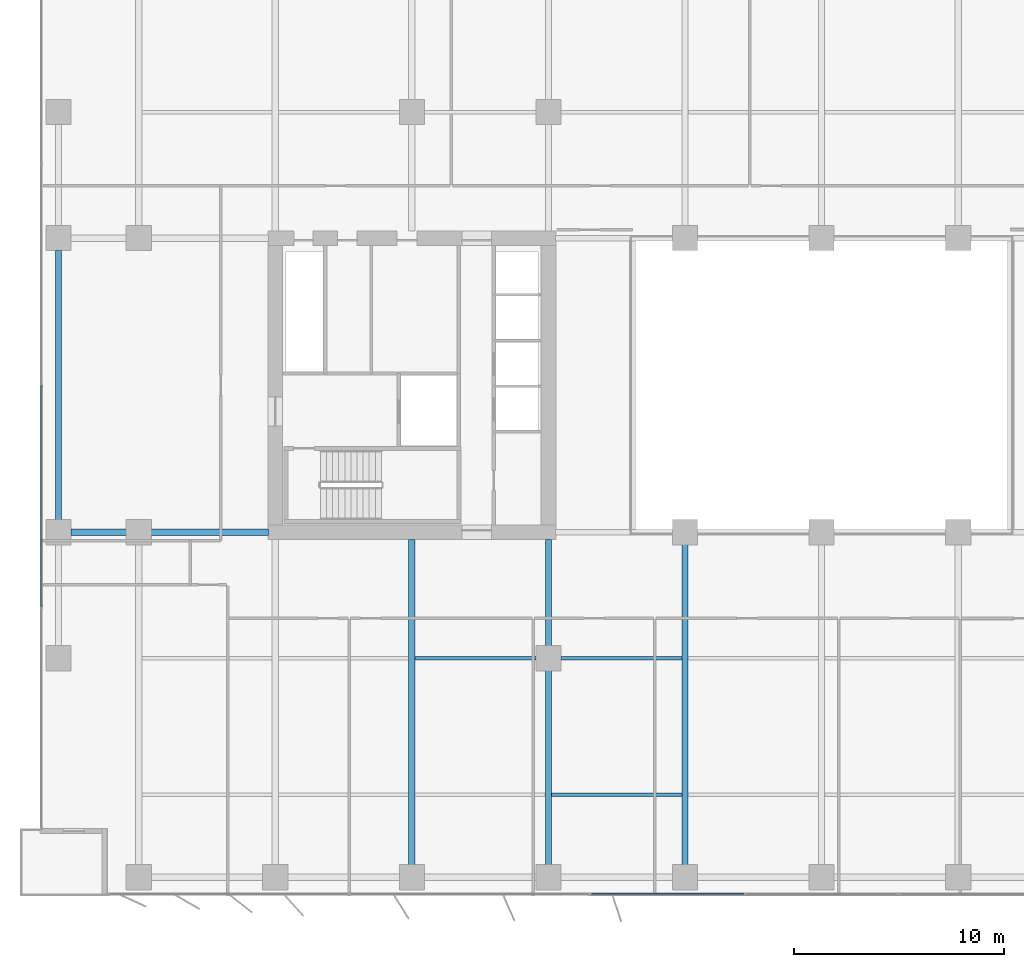
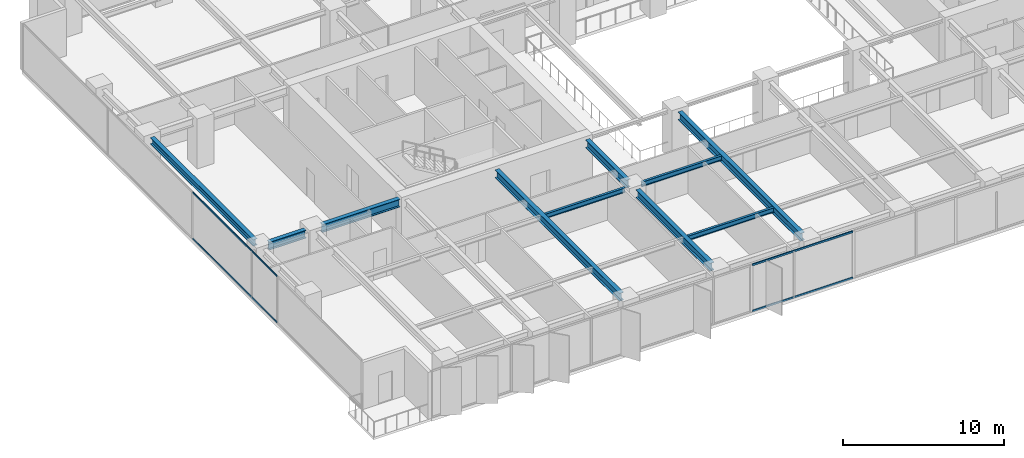
# One storey, part 3 of 20: 10 beams, 4 members, 2 elements without a shape of their own.
"""IFC4 building model written with IfcOpenShell, lengths in metres."""

import ifcopenshell
import ifcopenshell.guid

model = None  # the IFC model being written
_history = None  # IfcOwnerHistory: only IFC2X3 demands one
_inside = {}  # id of a spatial element -> (the spatial element, [elements in it])
_under = {}  # id of a project, library or spatial element -> (it, [spatial elements below it])
_declared = {}  # id of a project -> (the project, [libraries it declares])
_typed = {}  # id of a type object -> (the type object, [elements of that type])
_made_of = {}  # id of a material, layer set ... -> (it, [elements and type objects made of it])


def new_model(schema):
    """Start an empty IFC model of exactly this schema.

    Asked for "IFC4X3", IfcOpenShell would pick the latest addendum, in which some entities
    have other attributes; the version numbers below select the first issue.
    IFC2X3 requires an IfcOwnerHistory on every rooted entity: one is made here for all.
    """
    global model, _history
    if schema == "IFC4X3":
        model = ifcopenshell.file(schema_version=(4, 3, 0, 0))
    else:
        model = ifcopenshell.file(schema=schema)
    _inside.clear()
    _under.clear()
    _declared.clear()
    _typed.clear()
    _made_of.clear()
    _history = None
    if model.schema == "IFC2X3":
        org = make("IfcOrganization", Name="unknown")
        user = make(
            "IfcPersonAndOrganization",
            ThePerson=make("IfcPerson", FamilyName="unknown"),
            TheOrganization=org,
        )
        app = make(
            "IfcApplication",
            ApplicationDeveloper=org,
            Version="unknown",
            ApplicationFullName="unknown",
            ApplicationIdentifier="unknown",
        )
        _history = make(
            "IfcOwnerHistory",
            OwningUser=user,
            OwningApplication=app,
            ChangeAction="ADDED",
            CreationDate=0,
        )
    return model


def make(cls, **values):
    """One entity of the class cls with the attributes given. An attribute that is None is left unset."""
    return model.create_entity(
        cls, **{name: value for name, value in values.items() if value is not None}
    )


def rooted(cls, **values):
    """An entity with a GlobalId (a new one), such as an element, a storey or a relation."""
    return make(cls, GlobalId=ifcopenshell.guid.new(), OwnerHistory=_history, **values)


def si_unit(unit_type, name, prefix=None):
    """IfcSIUnit, for example si_unit("LENGTHUNIT", "METRE", prefix="MILLI")."""
    return make("IfcSIUnit", UnitType=unit_type, Prefix=prefix, Name=name)


def assignment(units):
    """IfcUnitAssignment: the units of a project."""
    return None if units is None else make("IfcUnitAssignment", Units=units)


def point(xyz):
    """IfcCartesianPoint."""
    return None if xyz is None else make("IfcCartesianPoint", Coordinates=xyz)


def direction(xyz):
    """IfcDirection."""
    return None if xyz is None else make("IfcDirection", DirectionRatios=xyz)


def frame(location, z_axis=None, x_axis=None):
    """IfcAxis2Placement3D, a coordinate frame: its origin and axes. An axis left out is left unset."""
    return make(
        "IfcAxis2Placement3D",
        Location=point(location),
        Axis=direction(z_axis),
        RefDirection=direction(x_axis),
    )


def frame_2d(location, x_axis=None):
    """IfcAxis2Placement2D, a coordinate frame in the plane: its origin and x axis."""
    return make(
        "IfcAxis2Placement2D", Location=point(location), RefDirection=direction(x_axis)
    )


def origin():
    """The frame at (0, 0, 0) with its axes left unset."""
    return frame((0.0, 0.0, 0.0))


def origin_2d():
    """The frame at (0, 0) in the plane with its x axis left unset."""
    return frame_2d((0.0, 0.0))


def place(relative_to, where):
    """IfcLocalPlacement: puts the frame where relative to a parent placement (None: the world)."""
    return make(
        "IfcLocalPlacement", PlacementRelTo=relative_to, RelativePlacement=where
    )


def context(
    kind, dimensions, precision=None, world=None, true_north=None, identifier=None
):
    """IfcGeometricRepresentationContext, for example the 3D "Model" context."""
    return make(
        "IfcGeometricRepresentationContext",
        ContextIdentifier=identifier,
        ContextType=kind,
        CoordinateSpaceDimension=dimensions,
        Precision=precision,
        WorldCoordinateSystem=world,
        TrueNorth=true_north,
    )


def subcontext(parent, identifier, kind, view, scale=None):
    """IfcGeometricRepresentationSubContext, for example "Body" below "Model"."""
    return make(
        "IfcGeometricRepresentationSubContext",
        ContextIdentifier=identifier,
        ContextType=kind,
        ParentContext=parent,
        TargetScale=scale,
        TargetView=view,
    )


def project(units=None, contexts=None):
    """IfcProject with its units and contexts."""
    return rooted(
        "IfcProject",
        Name="project",
        RepresentationContexts=contexts,
        UnitsInContext=assignment(units),
    )


def spatial(cls, under=None, at=None, **own):
    """A site, building, storey or space (cls), placed at a placement, below another one or the project."""
    s = rooted(cls, ObjectPlacement=at, **own)
    if under is not None:
        _under.setdefault(under.id(), (under, []))[1].append(s)
    return s


def profile(cls, at=None, kind="AREA", **sizes):
    """A parametric profile (cls). Its sizes go by their IFC names, for example OverallWidth=200.0."""
    return make(cls, ProfileType=kind, Position=at, **sizes)


def rectangle(**sizes):
    """IfcRectangleProfileDef."""
    return profile("IfcRectangleProfileDef", **sizes)


def i_section(**sizes):
    """IfcIShapeProfileDef."""
    return profile("IfcIShapeProfileDef", **sizes)


def extrude(swept, where, along, depth):
    """IfcExtrudedAreaSolid: the profile swept, set in the frame where, extruded along a direction by depth."""
    return make(
        "IfcExtrudedAreaSolid",
        SweptArea=swept,
        Position=where,
        ExtrudedDirection=direction(along),
        Depth=depth,
    )


def shape(context_of_items, identifier, shape_type, items):
    """IfcShapeRepresentation: the items that make up one representation, for example the "Body"."""
    return make(
        "IfcShapeRepresentation",
        ContextOfItems=context_of_items,
        RepresentationIdentifier=identifier,
        RepresentationType=shape_type,
        Items=items,
    )


def material(Name=None, Category=None):
    """IfcMaterial."""
    return make("IfcMaterial", Name=Name, Category=Category)


def layer(
    of_material, thickness, ventilated=None, Name=None, Category=None, Priority=None
):
    """IfcMaterialLayer: one layer of a wall or slab, of a material (None: an air gap)."""
    return make(
        "IfcMaterialLayer",
        Material=of_material,
        LayerThickness=thickness,
        IsVentilated=ventilated,
        Name=Name,
        Category=Category,
        Priority=Priority,
    )


def layer_set(layers, Name=None):
    """IfcMaterialLayerSet."""
    return make("IfcMaterialLayerSet", MaterialLayers=layers, LayerSetName=Name)


def material_profile(
    of_material, cross_section, Name=None, Category=None, Priority=None
):
    """IfcMaterialProfile: a cross section and its material."""
    return make(
        "IfcMaterialProfile",
        Name=Name,
        Material=of_material,
        Profile=cross_section,
        Priority=Priority,
        Category=Category,
    )


def profile_set(profiles, Name=None, composite=None):
    """IfcMaterialProfileSet."""
    return make(
        "IfcMaterialProfileSet",
        Name=Name,
        MaterialProfiles=profiles,
        CompositeProfile=composite,
    )


def made_of(thing, what):
    """Note that an element or type object is made of a material, layer set ...; save() writes the relation."""
    if what is not None:
        _made_of.setdefault(what.id(), (what, []))[1].append(thing)
    return thing


def type_object(cls, material=None, **own):
    """A type object (cls), such as IfcWallType, which elements share."""
    return made_of(rooted(cls, **own), material)


def element(
    cls,
    number,
    at=None,
    inside=None,
    cuts=None,
    type_object=None,
    material=None,
    context=None,
    identifier="Body",
    shape_type=None,
    held_by="IfcProductDefinitionShape",
    body=None,
    shapes=None,
    **own,
):
    """One element of the class cls, such as IfcWall. Its Tag is "e" and its number.

    at: its placement. inside: the storey or other place that contains it. cuts: it is an
    opening in that element (IfcRelVoidsElement). A single representation is given by context,
    identifier, shape_type and body (its items); several are given by shapes. held_by: the class
    of the entity that holds the representations. save() writes the other relations.
    """
    e = rooted(cls, Tag="e%d" % number, ObjectPlacement=at, **own)
    if body is not None:
        shapes = [shape(context, identifier, shape_type, body)]
    if shapes is not None:
        e.Representation = make(held_by, Representations=shapes)
    if inside is not None:
        _inside.setdefault(inside.id(), (inside, []))[1].append(e)
    if cuts is not None:
        rooted(
            "IfcRelVoidsElement", RelatingBuildingElement=cuts, RelatedOpeningElement=e
        )
    if type_object is not None:
        _typed.setdefault(type_object.id(), (type_object, []))[1].append(e)
    return made_of(e, material)


def aggregate(whole, parts):
    """IfcRelAggregates: a whole, such as a stair, and the parts it consists of."""
    return rooted("IfcRelAggregates", RelatingObject=whole, RelatedObjects=parts)


def save(model, path):
    """Write the relations noted so far, then the file.

    IfcRelAggregates (storeys below a building ...), IfcRelContainedInSpatialStructure (elements
    in a storey), IfcRelDefinesByType, IfcRelAssociatesMaterial and IfcRelDeclares: one each for
    every whole, place, type object, material and project.
    """
    for whole, parts in _under.values():
        aggregate(whole, parts)
    for where, things in _inside.values():
        rooted(
            "IfcRelContainedInSpatialStructure",
            RelatedElements=things,
            RelatingStructure=where,
        )
    for kind, things in _typed.values():
        rooted("IfcRelDefinesByType", RelatedObjects=things, RelatingType=kind)
    for what, things in _made_of.values():
        rooted("IfcRelAssociatesMaterial", RelatedObjects=things, RelatingMaterial=what)
    for by, libraries in _declared.values():
        rooted("IfcRelDeclares", RelatingContext=by, RelatedDefinitions=libraries)
    model.write(path)


model = new_model("IFC4")

# Units and contexts
model_context = context("Model", 3, precision=1e-05, world=origin(), true_north=direction((0.0, 1.0)))
body_context = subcontext(model_context, "Body", "Model", "MODEL_VIEW")
ifc_project = project(units=[si_unit("LENGTHUNIT", "METRE"), si_unit("AREAUNIT", "SQUARE_METRE"), si_unit("VOLUMEUNIT", "CUBIC_METRE"), si_unit("PLANEANGLEUNIT", "RADIAN"), si_unit("MASSUNIT", "GRAM", prefix="KILO")], contexts=[model_context])

# Site, building, storey
site_placement = place(None, origin())
site = spatial("IfcSite", under=ifc_project, at=site_placement, CompositionType="ELEMENT")
building_placement = place(site_placement, origin())
building = spatial("IfcBuilding", under=site, at=building_placement, Name="Putna Gate Headquarters", CompositionType="ELEMENT")
storey_placement = place(building_placement, frame((0.0, 0.0, 93.60009765625)))
storey = spatial("IfcBuildingStorey", under=building, at=storey_placement, Name="L22", CompositionType="ELEMENT", Elevation=93.60009765625)

# Beams
ifc_material_1 = material(Name="Steel S355J2", Category="steel")
ifc_material_profile_1 = material_profile(ifc_material_1, i_section(OverallWidth=0.300048828125, OverallDepth=0.60009765625, WebThickness=0.015380859375, FlangeThickness=0.030029296875, at=origin_2d()), Name="Steel S355J2")
ifc_profile_set_1 = profile_set([ifc_material_profile_1], Name="Steel S355J2")
beam_type_1 = type_object("IfcBeamType", Name="BM-GIRD-Z2-HEB600", PredefinedType="USERDEFINED", material=ifc_profile_set_1)
beam_1_placement = place(storey_placement, frame((3.26806640625, 19.0, 3.264892578125), z_axis=(1.0, 0.0, 0.0), x_axis=(0.0, 1.0, 0.0)))
element("IfcBeam", 1, at=beam_1_placement, inside=storey, type_object=beam_type_1, Name="L22 West Wing Girder Y19-1", ObjectType="GIRDER", PredefinedType="USERDEFINED", context=body_context, shape_type="SweptSolid", body=[
    extrude(i_section(OverallWidth=0.300048828125, OverallDepth=0.60009765625, WebThickness=0.015380859375, FlangeThickness=0.030029296875, at=origin_2d()), origin(), (0.0, 0.0, 1.0), 2.64404296875),
])
beam_2_placement = place(storey_placement, frame((7.087890625, 19.0, 3.264892578125), z_axis=(1.0, 0.0, 0.0), x_axis=(0.0, 1.0, 0.0)))
element("IfcBeam", 2, at=beam_2_placement, inside=storey, type_object=beam_type_1, Name="L22 West Wing Girder Y19-2", ObjectType="GIRDER", PredefinedType="USERDEFINED", context=body_context, shape_type="SweptSolid", body=[
    extrude(i_section(OverallWidth=0.300048828125, OverallDepth=0.60009765625, WebThickness=0.015380859375, FlangeThickness=0.030029296875, at=origin_2d()), origin(), (0.0, 0.0, 1.0), 5.5771484375),
])
beam_3_placement = place(storey_placement, frame((19.5, 3.16796875, 3.264892578125), z_axis=(0.0, 1.0, 0.0), x_axis=(-1.0, 0.0, 0.0)))
element("IfcBeam", 3, at=beam_3_placement, inside=storey, type_object=beam_type_1, Name="L22 South Primary Girder X19", ObjectType="GIRDER", PredefinedType="USERDEFINED", context=body_context, shape_type="SweptSolid", body=[
    extrude(i_section(OverallWidth=0.300048828125, OverallDepth=0.60009765625, WebThickness=0.015380859375, FlangeThickness=0.030029296875, at=origin_2d()), origin(), (0.0, 0.0, 1.0), 15.4970703125),
])
beam_4_placement = place(storey_placement, frame((26.0, 3.16796875, 3.264892578125), z_axis=(0.0, 1.0, 0.0), x_axis=(-1.0, 0.0, 0.0)))
element("IfcBeam", 4, at=beam_4_placement, inside=storey, type_object=beam_type_1, Name="L22 South Primary Girder X26-1", ObjectType="GIRDER", PredefinedType="USERDEFINED", context=body_context, shape_type="SweptSolid", body=[
    extrude(i_section(OverallWidth=0.300048828125, OverallDepth=0.60009765625, WebThickness=0.015380859375, FlangeThickness=0.030029296875, at=origin_2d()), origin(), (0.0, 0.0, 1.0), 9.244140625),
])
beam_5_placement = place(storey_placement, frame((26.0, 13.587890625, 3.264892578125), z_axis=(0.0, 1.0, 0.0), x_axis=(-1.0, 0.0, 0.0)))
element("IfcBeam", 5, at=beam_5_placement, inside=storey, type_object=beam_type_1, Name="L22 South Primary Girder X26-2", ObjectType="GIRDER", PredefinedType="USERDEFINED", context=body_context, shape_type="SweptSolid", body=[
    extrude(i_section(OverallWidth=0.300048828125, OverallDepth=0.60009765625, WebThickness=0.015380859375, FlangeThickness=0.030029296875, at=origin_2d()), origin(), (0.0, 0.0, 1.0), 5.0771484375),
])
beam_6_placement = place(storey_placement, frame((32.5, 3.16796875, 3.264892578125), z_axis=(0.0, 1.0, 0.0), x_axis=(-1.0, 0.0, 0.0)))
element("IfcBeam", 6, at=beam_6_placement, inside=storey, type_object=beam_type_1, Name="L22 South Primary Girder X32", ObjectType="GIRDER", PredefinedType="USERDEFINED", context=body_context, shape_type="SweptSolid", body=[
    extrude(i_section(OverallWidth=0.300048828125, OverallDepth=0.60009765625, WebThickness=0.015380859375, FlangeThickness=0.030029296875, at=origin_2d()), origin(), (0.0, 0.0, 1.0), 15.244140625),
])
ifc_material_profile_2 = material_profile(ifc_material_1, i_section(OverallWidth=0.169921875, OverallDepth=0.360107421875, WebThickness=0.008056640625, FlangeThickness=0.0126953125, at=origin_2d()), Name="Steel S355J2")
ifc_profile_set_2 = profile_set([ifc_material_profile_2], Name="Steel S355J2")
beam_type_2 = type_object("IfcBeamType", Name="BM-SEC-Z2-IPE360", PredefinedType="BEAM", material=ifc_profile_set_2)
beam_7_placement = place(storey_placement, frame((19.654052734375, 13.0, 3.385009765625), z_axis=(1.0, 0.0, 0.0), x_axis=(0.0, 1.0, 0.0)))
element("IfcBeam", 7, at=beam_7_placement, inside=storey, type_object=beam_type_2, Name="L22 South Secondary Beam 3", PredefinedType="BEAM", context=body_context, shape_type="SweptSolid", body=[
    extrude(i_section(OverallWidth=0.169921875, OverallDepth=0.360107421875, WebThickness=0.008056640625, FlangeThickness=0.0126953125, at=origin_2d()), origin(), (0.0, 0.0, 1.0), 5.758056640625),
])
beam_8_placement = place(storey_placement, frame((26.154052734375, 6.5, 3.385009765625), z_axis=(1.0, 0.0, 0.0), x_axis=(0.0, 1.0, 0.0)))
element("IfcBeam", 8, at=beam_8_placement, inside=storey, type_object=beam_type_2, Name="L22 South Secondary Beam 4", PredefinedType="BEAM", context=body_context, shape_type="SweptSolid", body=[
    extrude(i_section(OverallWidth=0.169921875, OverallDepth=0.360107421875, WebThickness=0.008056640625, FlangeThickness=0.0126953125, at=origin_2d()), origin(), (0.0, 0.0, 1.0), 6.19189453125),
])
beam_9_placement = place(storey_placement, frame((26.587890625, 13.0, 3.385009765625), z_axis=(1.0, 0.0, 0.0), x_axis=(0.0, 1.0, 0.0)))
element("IfcBeam", 9, at=beam_9_placement, inside=storey, type_object=beam_type_2, Name="L22 South Secondary Beam 4", PredefinedType="BEAM", context=body_context, shape_type="SweptSolid", body=[
    extrude(i_section(OverallWidth=0.169921875, OverallDepth=0.360107421875, WebThickness=0.008056640625, FlangeThickness=0.0126953125, at=origin_2d()), origin(), (0.0, 0.0, 1.0), 5.758056640625),
])
ifc_material_profile_3 = material_profile(ifc_material_1, i_section(OverallWidth=0.300048828125, OverallDepth=0.489990234375, WebThickness=0.011962890625, FlangeThickness=0.02294921875, at=origin_2d()), Name="Steel S355J2")
ifc_profile_set_3 = profile_set([ifc_material_profile_3], Name="Steel S355J2")
beam_type_3 = type_object("IfcBeamType", Name="BM-SPAN-Z2-HEA500", PredefinedType="SPANDREL", material=ifc_profile_set_3)
beam_10_placement = place(storey_placement, frame((2.679931640625, 19.587890625, 3.31982421875), z_axis=(0.0, 1.0, 0.0), x_axis=(-1.0, 0.0, 0.0)))
element("IfcBeam", 10, at=beam_10_placement, inside=storey, type_object=beam_type_3, Name="L22 W End Spandrel 2", PredefinedType="SPANDREL", context=body_context, shape_type="SweptSolid", body=[
    extrude(i_section(OverallWidth=0.300048828125, OverallDepth=0.489990234375, WebThickness=0.011962890625, FlangeThickness=0.02294921875, at=origin_2d()), origin(), (0.0, 0.0, 1.0), 12.82421875),
])

# Curtain wall, members
ifc_material_2 = material(Name="Anodised bronze aluminium curtain wall", Category="aluminium")
ifc_layer_1 = layer(ifc_material_2, 0.159912109375)
ifc_layer_set_1 = layer_set([ifc_layer_1], Name="Anodised bronze aluminium curtain wall")
curtain_wall_type_1 = type_object("IfcCurtainWallType", Name="CW-SYS-Z2", PredefinedType="USERDEFINED", material=ifc_layer_set_1)
curtain_wall_1_placement = place(storey_placement, origin())
curtain_wall_1 = element("IfcCurtainWall", 11, at=curtain_wall_1_placement, inside=storey, type_object=curtain_wall_type_1, Name="L22 West Curtain Wall", ObjectType="STICK CURTAIN WALL", PredefinedType="USERDEFINED")
ifc_material_3 = material(Name="Anodised bronze aluminium EN AW-6060", Category="aluminium")
ifc_material_profile_4 = material_profile(ifc_material_3, rectangle(XDim=0.06494140625, YDim=0.1201171875, at=origin_2d()), Name="Anodised bronze aluminium EN AW-6060")
ifc_profile_set_4 = profile_set([ifc_material_profile_4], Name="Anodised bronze aluminium EN AW-6060")
member_type_1 = type_object("IfcMemberType", Name="TRAN-CWT-2", PredefinedType="USERDEFINED", material=ifc_profile_set_4)
member_1_placement = place(storey_placement, frame((1.8798828125, 15.482421875, 0.032470703125), z_axis=(0.0, 1.0, 0.0), x_axis=(-1.0, 0.0, 0.0)))
member_1 = element("IfcMember", 12, at=member_1_placement, type_object=member_type_1, Name="CWS-2 transom 2.1", ObjectType="TRANSOM", PredefinedType="USERDEFINED", context=body_context, shape_type="SweptSolid", body=[
    extrude(rectangle(XDim=0.06494140625, YDim=0.1201171875, at=origin_2d()), origin(), (0.0, 0.0, 1.0), 10.485107421875),
])
member_2_placement = place(storey_placement, frame((1.8798828125, 15.482421875, 3.532470703125), z_axis=(0.0, 1.0, 0.0), x_axis=(-1.0, 0.0, 0.0)))
member_2 = element("IfcMember", 13, at=member_2_placement, type_object=member_type_1, Name="CWS-2 transom 2.2", ObjectType="TRANSOM", PredefinedType="USERDEFINED", context=body_context, shape_type="SweptSolid", body=[
    extrude(rectangle(XDim=0.06494140625, YDim=0.1201171875, at=origin_2d()), origin(), (0.0, 0.0, 1.0), 10.485107421875),
])
aggregate(curtain_wall_1, [member_1, member_2])

ifc_layer_2 = layer(ifc_material_2, 0.179931640625)
ifc_layer_set_2 = layer_set([ifc_layer_2], Name="Anodised bronze aluminium curtain wall")
curtain_wall_type_2 = type_object("IfcCurtainWallType", Name="CW-SYS-ATR", PredefinedType="USERDEFINED", material=ifc_layer_set_2)
curtain_wall_2_placement = place(storey_placement, origin())
curtain_wall_2 = element("IfcCurtainWall", 14, at=curtain_wall_2_placement, inside=storey, type_object=curtain_wall_type_2, Name="L22 South Atrium Clear Glazing", ObjectType="ATRIUM GLAZING", PredefinedType="USERDEFINED")
ifc_material_profile_5 = material_profile(ifc_material_3, rectangle(XDim=0.070068359375, YDim=0.139892578125, at=origin_2d()), Name="Anodised bronze aluminium EN AW-6060")
ifc_profile_set_5 = profile_set([ifc_material_profile_5], Name="Anodised bronze aluminium EN AW-6060")
member_type_2 = type_object("IfcMemberType", Name="TRAN-CWT-AT", PredefinedType="USERDEFINED", material=ifc_profile_set_5)
member_3_placement = place(storey_placement, frame((28.070068359375, 1.780029296875, 0.034912109375), z_axis=(1.0, 0.0, 0.0), x_axis=(0.0, 1.0, 0.0)))
member_3 = element("IfcMember", 15, at=member_3_placement, type_object=member_type_2, Name="CWS-AT transom 1.1", ObjectType="TRANSOM", PredefinedType="USERDEFINED", context=body_context, shape_type="SweptSolid", body=[
    extrude(rectangle(XDim=0.070068359375, YDim=0.139892578125, at=origin_2d()), origin(), (0.0, 0.0, 1.0), 7.228271484375),
])
member_4_placement = place(storey_placement, frame((28.070068359375, 1.780029296875, 3.52978515625), z_axis=(1.0, 0.0, 0.0), x_axis=(0.0, 1.0, 0.0)))
member_4 = element("IfcMember", 16, at=member_4_placement, type_object=member_type_2, Name="CWS-AT transom 1.2", ObjectType="TRANSOM", PredefinedType="USERDEFINED", context=body_context, shape_type="SweptSolid", body=[
    extrude(rectangle(XDim=0.070068359375, YDim=0.139892578125, at=origin_2d()), origin(), (0.0, 0.0, 1.0), 7.228271484375),
])
aggregate(curtain_wall_2, [member_3, member_4])

save(model, "model.ifc")
